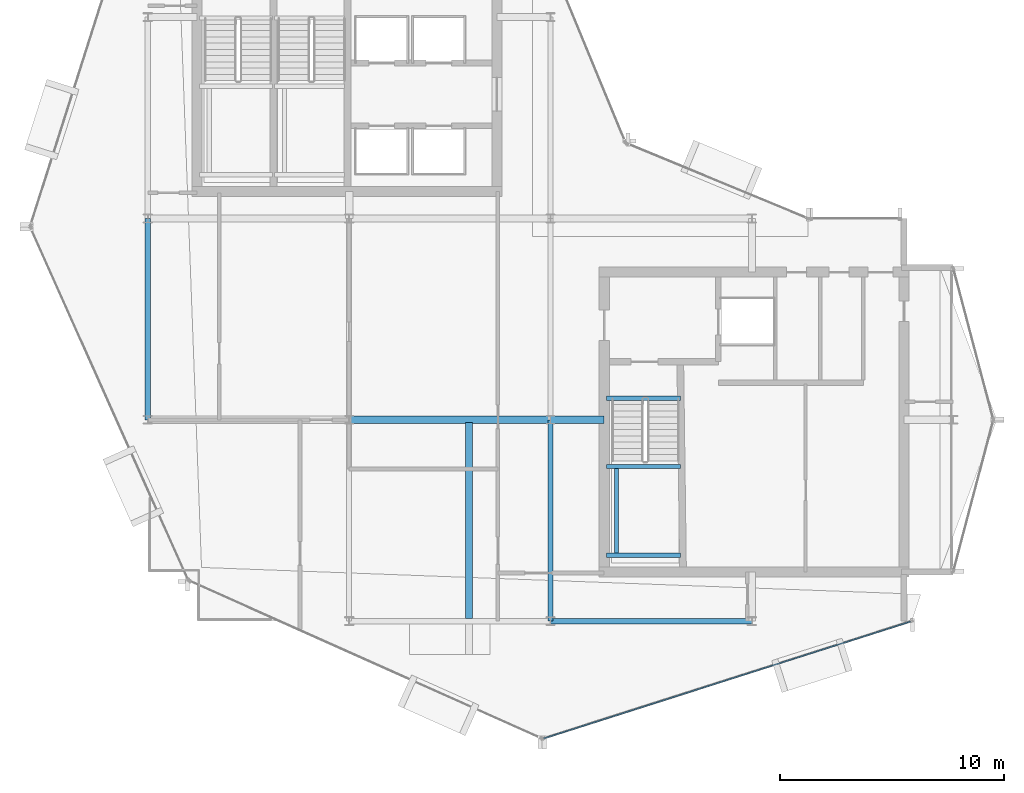
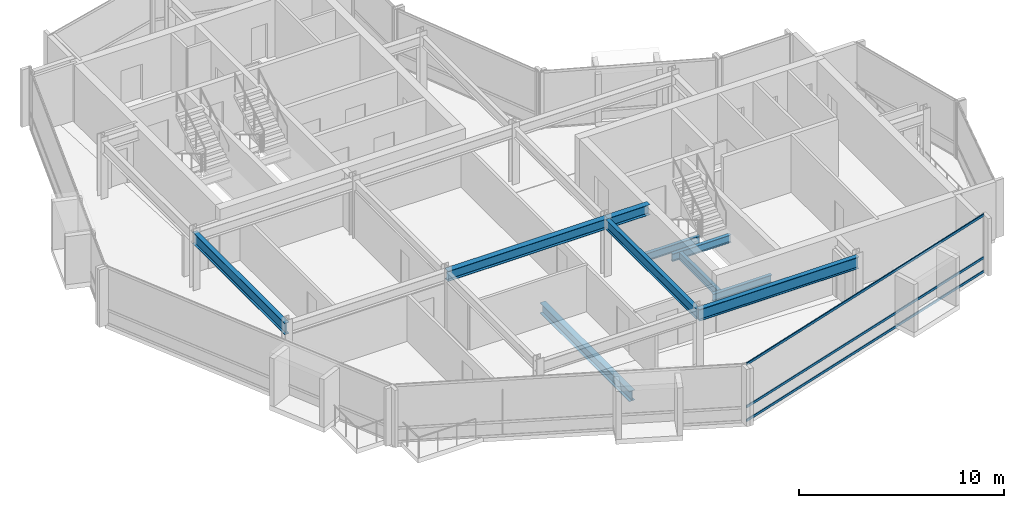
# One storey, part 5 of 19: 10 beams, 3 members, 1 element without a shape of its own.
"""IFC4 building model written with IfcOpenShell, lengths in metres."""

from ifc_helpers import new_model, si_unit, direction, frame, origin, origin_2d, place, context, subcontext, project, spatial, hollow_rectangle, i_section, extrude, material, layer, layer_set, material_profile, profile_set, type_object, element, aggregate, save


model = new_model("IFC4")

# Units and contexts
model_context = context("Model", 3, precision=1e-05, world=origin(), true_north=direction((0.0, 1.0)))
body_context = subcontext(model_context, "Body", "Model", "MODEL_VIEW")
ifc_project = project(units=[si_unit("LENGTHUNIT", "METRE"), si_unit("AREAUNIT", "SQUARE_METRE"), si_unit("VOLUMEUNIT", "CUBIC_METRE"), si_unit("PLANEANGLEUNIT", "RADIAN"), si_unit("MASSUNIT", "GRAM", prefix="KILO")], contexts=[model_context])

# Site, building, storey
site_placement = place(None, origin())
site = spatial("IfcSite", under=ifc_project, at=site_placement, CompositionType="ELEMENT")
building_placement = place(site_placement, origin())
building = spatial("IfcBuilding", under=site, at=building_placement, Name="Solvaryn Broadcast Tower", CompositionType="ELEMENT")
storey_placement = place(building_placement, frame((0.0, 0.0, 266.699951171875)))
storey = spatial("IfcBuildingStorey", under=building, at=storey_placement, Name="L67", CompositionType="ELEMENT", Elevation=266.699951171875)

# Beams
ifc_material_1 = material(Name="Steel ASTM A992 Grade 50", Category="steel")
ifc_material_profile_1 = material_profile(ifc_material_1, i_section(OverallWidth=0.323974609375, OverallDepth=0.611083984375, WebThickness=0.0126953125, FlangeThickness=0.01904296875, FilletRadius=0.014892578125, at=origin_2d()))
ifc_profile_set_1 = profile_set([ifc_material_profile_1], Name="Steel ASTM A992 Grade 50")
beam_type_1 = type_object("IfcBeamType", Name="BM-B1-W24X104", PredefinedType="BEAM", material=ifc_profile_set_1)
beam_1_placement = place(storey_placement, frame((23.35009765625, 17.875, -0.58544921875), z_axis=(0.0, -1.0, 0.0), x_axis=(1.0, 0.0, 0.0)))
element("IfcBeam", 1, at=beam_1_placement, inside=storey, type_object=beam_type_1, Name="L67 Bay-Box Back-Span Beam 1", PredefinedType="BEAM", context=body_context, shape_type="SweptSolid", body=[
    extrude(i_section(OverallWidth=0.323974609375, OverallDepth=0.611083984375, WebThickness=0.0126953125, FlangeThickness=0.01904296875, FilletRadius=0.014892578125, at=origin_2d()), origin(), (0.0, 0.0, 1.0), 8.75),
])
beam_2_placement = place(storey_placement, frame((18.0, 18.0, 3.114501953125), z_axis=(1.0, 0.0, 0.0), x_axis=(0.0, 1.0, 0.0)))
element("IfcBeam", 2, at=beam_2_placement, inside=storey, type_object=beam_type_1, Name="L67 Primary Beam X (18-27 @ Y=18)", PredefinedType="BEAM", context=body_context, shape_type="SweptSolid", body=[
    extrude(i_section(OverallWidth=0.323974609375, OverallDepth=0.611083984375, WebThickness=0.0126953125, FlangeThickness=0.01904296875, FilletRadius=0.014892578125, at=origin_2d()), origin(), (0.0, 0.0, 1.0), 9.0),
])
beam_3_placement = place(storey_placement, frame((27.0, 18.0, 3.114501953125), z_axis=(1.0, 0.0, 0.0), x_axis=(0.0, 1.0, 0.0)))
element("IfcBeam", 3, at=beam_3_placement, inside=storey, type_object=beam_type_1, Name="L67 Core Tie Beam CTE4", PredefinedType="BEAM", context=body_context, shape_type="SweptSolid", body=[
    extrude(i_section(OverallWidth=0.323974609375, OverallDepth=0.611083984375, WebThickness=0.0126953125, FlangeThickness=0.01904296875, FilletRadius=0.014892578125, at=origin_2d()), origin(), (0.0, 0.0, 1.0), 2.39990234375),
])
ifc_material_2 = material(Name="Steel ASTM A992 Grade 50", Category="steel")
ifc_material_profile_2 = material_profile(ifc_material_2, i_section(OverallWidth=0.22802734375, OverallDepth=0.60791015625, WebThickness=0.01123046875, FlangeThickness=0.017333984375, FilletRadius=0.014892578125, at=origin_2d()))
ifc_profile_set_2 = profile_set([ifc_material_profile_2], Name="Steel ASTM A992 Grade 50")
beam_type_2 = type_object("IfcBeamType", Name="BM-B2-W24X76", PredefinedType="BEAM", material=ifc_profile_set_2)
beam_4_placement = place(storey_placement, frame((27.0, 9.0, 3.115966796875), z_axis=(0.0, 1.0, 0.0), x_axis=(-1.0, 0.0, 0.0)))
element("IfcBeam", 4, at=beam_4_placement, inside=storey, type_object=beam_type_2, Name="L67 Primary Beam Y (9-18 @ X=27)", PredefinedType="BEAM", context=body_context, shape_type="SweptSolid", body=[
    extrude(i_section(OverallWidth=0.22802734375, OverallDepth=0.60791015625, WebThickness=0.01123046875, FlangeThickness=0.017333984375, FilletRadius=0.014892578125, at=origin_2d()), origin(), (0.0, 0.0, 1.0), 9.0),
])
ifc_material_3 = material(Name="Steel ASTM A992 Grade 50", Category="steel")
ifc_material_profile_3 = material_profile(ifc_material_3, i_section(OverallWidth=0.18994140625, OverallDepth=0.45703125, WebThickness=0.009033203125, FlangeThickness=0.014404296875, FilletRadius=0.011962890625, at=origin_2d()))
ifc_profile_set_3 = profile_set([ifc_material_profile_3], Name="Steel ASTM A992 Grade 50")
beam_type_3 = type_object("IfcBeamType", Name="BM-B4-W18X50", PredefinedType="BEAM", material=ifc_profile_set_3)
for number, where, z_axis, x_axis, name in (
    (5, (29.5, 18.9599609375, -0.508544921875), (1.0, 0.0, 0.0), (0.0, 1.0, 0.0), "L67 ST3 Stair Well Trimmer Beam"),
    (6, (29.5, 11.949951171875, 1.421630859375), (1.0, 0.0, 0.0), (0.0, 1.0, 0.0), "L67 ST3 Landing Support Beam 1A"),
    (7, (29.5, 15.909912109375, 1.421630859375), (1.0, 0.0, 0.0), (0.0, 1.0, 0.0), "L67 ST3 Landing Support Beam 1B"),
):
    element("IfcBeam", number, at=place(storey_placement, frame(where, z_axis=z_axis, x_axis=x_axis)), inside=storey, type_object=beam_type_3, Name=name, PredefinedType="BEAM", context=body_context, shape_type="SweptSolid", body=[
        extrude(i_section(OverallWidth=0.18994140625, OverallDepth=0.45703125, WebThickness=0.009033203125, FlangeThickness=0.014404296875, FilletRadius=0.011962890625, at=origin_2d()), origin(), (0.0, 0.0, 1.0), 3.320068359375),
    ])
beam_5_placement = place(storey_placement, frame((29.949951171875, 11.949951171875, 1.421630859375), z_axis=(0.0, 1.0, 0.0), x_axis=(-1.0, 0.0, 0.0)))
element("IfcBeam", 8, at=beam_5_placement, inside=storey, type_object=beam_type_3, Name="L67 ST3 Landing Cross Stringer 1C", PredefinedType="BEAM", context=body_context, shape_type="SweptSolid", body=[
    extrude(i_section(OverallWidth=0.18994140625, OverallDepth=0.45703125, WebThickness=0.009033203125, FlangeThickness=0.014404296875, FilletRadius=0.011962890625, at=origin_2d()), origin(), (0.0, 0.0, 1.0), 3.9599609375),
])
ifc_material_4 = material(Name="Steel ASTM A992 Grade 50", Category="steel")
ifc_material_profile_4 = material_profile(ifc_material_4, i_section(OverallWidth=0.256103515625, OverallDepth=0.693115234375, WebThickness=0.014404296875, FlangeThickness=0.023681640625, FilletRadius=0.01611328125, at=origin_2d()))
ifc_profile_set_4 = profile_set([ifc_material_profile_4], Name="Steel ASTM A992 Grade 50")
beam_type_4 = type_object("IfcBeamType", Name="BM-SP3-W27X114", PredefinedType="USERDEFINED", material=ifc_profile_set_4)
for number, where, z_axis, x_axis, name in (
    (9, (27.0, 9.0, 3.073486328125), (1.0, 0.0, 0.0), (0.0, 1.0, 0.0), "L67 Spandrel Beam X (27-36 @ Y=9)"),
    (10, (9.0, 18.0, 3.073486328125), (0.0, 1.0, 0.0), (-1.0, 0.0, 0.0), "L67 Spandrel Beam Y (18-27 @ X=9)"),
):
    element("IfcBeam", number, at=place(storey_placement, frame(where, z_axis=z_axis, x_axis=x_axis)), inside=storey, type_object=beam_type_4, Name=name, ObjectType="SPANDREL", PredefinedType="USERDEFINED", context=body_context, shape_type="SweptSolid", body=[
        extrude(i_section(OverallWidth=0.256103515625, OverallDepth=0.693115234375, WebThickness=0.014404296875, FlangeThickness=0.023681640625, FilletRadius=0.01611328125, at=origin_2d()), origin(), (0.0, 0.0, 1.0), 9.0),
    ])

# Curtain wall, members
ifc_material_5 = material(Name="Aluminium and Terracotta Unitised Curtain Wall", Category="masonry")
ifc_layer = layer(ifc_material_5, 0.199951171875)
ifc_layer_set = layer_set([ifc_layer], Name="CW-SYS2-LOWMID")
curtain_wall_type = type_object("IfcCurtainWallType", Name="CW-SYS2-LOWMID", PredefinedType="NOTDEFINED", material=ifc_layer_set)
curtain_wall_placement = place(storey_placement, origin())
curtain_wall = element("IfcCurtainWall", 11, at=curtain_wall_placement, inside=storey, type_object=curtain_wall_type, Name="L67 Curtain Wall DR4", PredefinedType="NOTDEFINED")
ifc_material_6 = material(Name="Anodised Aluminium 6063-T6", Category="aluminium")
ifc_material_profile_5 = material_profile(ifc_material_6, hollow_rectangle(XDim=0.06494140625, YDim=0.14990234375, WallThickness=0.00390625, InnerFilletRadius=0.00390625, OuterFilletRadius=0.008056640625, at=origin_2d()))
ifc_profile_set_5 = profile_set([ifc_material_profile_5], Name="Anodised Aluminium 6063-T6")
member_type = type_object("IfcMemberType", Name="CW-TRN-150", PredefinedType="USERDEFINED", material=ifc_profile_set_5)
member_1_placement = place(storey_placement, frame((26.693115234375, 3.756103515625, 0.030029296875), z_axis=(0.952794352661, 0.303616405252, 0.0), x_axis=(-0.303616405252, 0.952794352661, 0.0)))
member_1 = element("IfcMember", 12, at=member_1_placement, type_object=member_type, Name="CWS2 transom 1.1", ObjectType="TRANSOM", PredefinedType="USERDEFINED", context=body_context, shape_type="SweptSolid", body=[
    extrude(hollow_rectangle(XDim=0.06494140625, YDim=0.14990234375, WallThickness=0.00390625, InnerFilletRadius=0.00390625, OuterFilletRadius=0.008056640625, at=origin_2d()), origin(), (0.0, 0.0, 1.0), 17.211181640625),
])
member_2_placement = place(storey_placement, frame((26.693115234375, 3.756103515625, 0.85009765625), z_axis=(0.952794352661, 0.303616405252, 0.0), x_axis=(-0.303616405252, 0.952794352661, 0.0)))
member_2 = element("IfcMember", 13, at=member_2_placement, type_object=member_type, Name="CWS2 transom 1.2", ObjectType="TRANSOM", PredefinedType="USERDEFINED", context=body_context, shape_type="SweptSolid", body=[
    extrude(hollow_rectangle(XDim=0.06494140625, YDim=0.14990234375, WallThickness=0.00390625, InnerFilletRadius=0.00390625, OuterFilletRadius=0.008056640625, at=origin_2d()), origin(), (0.0, 0.0, 1.0), 17.211181640625),
])
member_3_placement = place(storey_placement, frame((26.693115234375, 3.756103515625, 3.39013671875), z_axis=(0.952794352661, 0.303616405252, 0.0), x_axis=(-0.303616405252, 0.952794352661, 0.0)))
member_3 = element("IfcMember", 14, at=member_3_placement, type_object=member_type, Name="CWS2 transom 1.3", ObjectType="TRANSOM", PredefinedType="USERDEFINED", context=body_context, shape_type="SweptSolid", body=[
    extrude(hollow_rectangle(XDim=0.06494140625, YDim=0.14990234375, WallThickness=0.00390625, InnerFilletRadius=0.00390625, OuterFilletRadius=0.008056640625, at=origin_2d()), origin(), (0.0, 0.0, 1.0), 17.211181640625),
])
aggregate(curtain_wall, [member_1, member_2, member_3])

save(model, "model.ifc")
